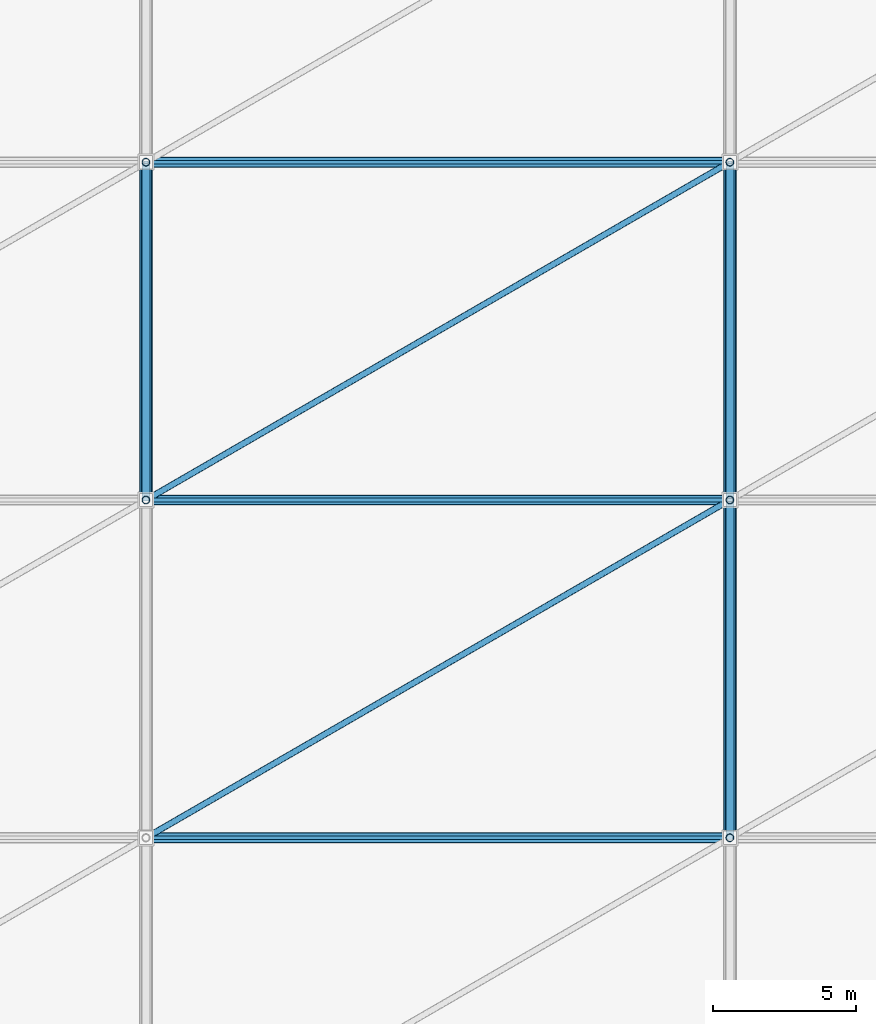
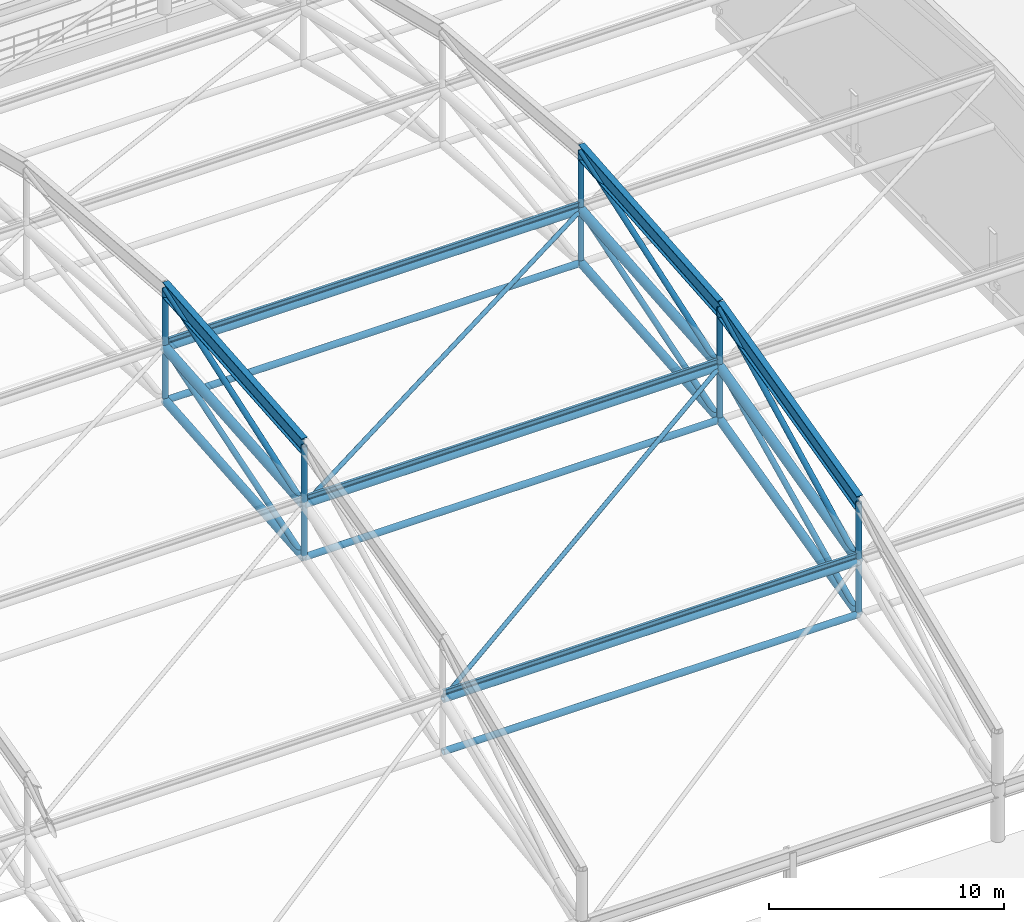
# One storey, part 24 of 135: 33 members, 3 beams.
"""IFC4 building model written with IfcOpenShell, lengths in metres."""

from ifc_helpers import new_model, si_unit, direction, frame, origin, origin_2d, place, context, subcontext, project, spatial, hollow_circle, i_section, extrude, material, material_profile, profile_set, type_object, element, save


model = new_model("IFC4")

# Units and contexts
model_context = context("Model", 3, precision=1e-05, world=origin(), true_north=direction((0.0, 1.0)))
body_context = subcontext(model_context, "Body", "Model", "MODEL_VIEW")
ifc_project = project(units=[si_unit("LENGTHUNIT", "METRE"), si_unit("AREAUNIT", "SQUARE_METRE"), si_unit("VOLUMEUNIT", "CUBIC_METRE"), si_unit("PLANEANGLEUNIT", "RADIAN"), si_unit("MASSUNIT", "GRAM", prefix="KILO")], contexts=[model_context])

# Site, building, storey
site_placement = place(None, origin())
site = spatial("IfcSite", under=ifc_project, at=site_placement, CompositionType="ELEMENT")
building_placement = place(site_placement, origin())
building = spatial("IfcBuilding", under=site, at=building_placement, Name="Brelvane Convention Centre", CompositionType="ELEMENT")
storey_placement = place(building_placement, frame((0.0, 0.0, 15.0)))
storey = spatial("IfcBuildingStorey", under=building, at=storey_placement, Name="L03", CompositionType="ELEMENT", Elevation=15.0)

# Beams
ifc_material_1 = material(Name="Steel E450 (450 MPa)", Category="steel")
ifc_material_profile_1 = material_profile(ifc_material_1, i_section(OverallWidth=0.300048828125, OverallDepth=0.800048828125, WebThickness=0.015380859375, FlangeThickness=0.030029296875, FilletRadius=0.027099609375, at=origin_2d()), Name="NPB 800x300")
ifc_profile_set_1 = profile_set([ifc_material_profile_1], Name="Steel E450 (450 MPa)")
beam_type = type_object("IfcBeamType", Name="Steel Beam B-ST2 (NPB 800x300)", PredefinedType="BEAM", material=ifc_profile_set_1)
beam_1_placement = place(storey_placement, frame((102.0, 52.39990234375, 13.22216796875), z_axis=(0.0, 0.996584470208, 0.082579620615), x_axis=(-1.0, 0.0, 0.0)))
element("IfcBeam", 1, at=beam_1_placement, inside=storey, type_object=beam_type, Name="EXO_EXH Exoskeletal Arch Girder 6.3", PredefinedType="BEAM", context=body_context, shape_type="SweptSolid", body=[
    extrude(i_section(OverallWidth=0.300048828125, OverallDepth=0.800048828125, WebThickness=0.015380859375, FlangeThickness=0.030029296875, FilletRadius=0.027099609375, at=origin_2d()), origin(), (0.0, 0.0, 1.0), 11.840576171875),
])
beam_2_placement = place(storey_placement, frame((122.39990234375, 40.60009765625, 10.288818359375), z_axis=(0.0, 0.970462914592, 0.241250350054), x_axis=(-1.0, 0.0, 0.0)))
element("IfcBeam", 2, at=beam_2_placement, inside=storey, type_object=beam_type, Name="EXO_EXH Exoskeletal Arch Girder 7.2", PredefinedType="BEAM", context=body_context, shape_type="SweptSolid", body=[
    extrude(i_section(OverallWidth=0.300048828125, OverallDepth=0.800048828125, WebThickness=0.015380859375, FlangeThickness=0.030029296875, FilletRadius=0.027099609375, at=origin_2d()), origin(), (0.0, 0.0, 1.0), 12.158935546875),
])
beam_3_placement = place(storey_placement, frame((122.39990234375, 52.39990234375, 13.22216796875), z_axis=(0.0, 0.996584470208, 0.082579620615), x_axis=(-1.0, 0.0, 0.0)))
element("IfcBeam", 3, at=beam_3_placement, inside=storey, type_object=beam_type, Name="EXO_EXH Exoskeletal Arch Girder 7.3", PredefinedType="BEAM", context=body_context, shape_type="SweptSolid", body=[
    extrude(i_section(OverallWidth=0.300048828125, OverallDepth=0.800048828125, WebThickness=0.015380859375, FlangeThickness=0.030029296875, FilletRadius=0.027099609375, at=origin_2d()), origin(), (0.0, 0.0, 1.0), 11.840576171875),
])

# Members
ifc_material_2 = material(Name="Steel E350 (350 MPa)", Category="steel")
ifc_material_profile_2 = material_profile(ifc_material_2, hollow_circle(Radius=0.136474609375, WallThickness=0.012451171875, at=origin_2d()), Name="CHS 273.0x12.5")
ifc_profile_set_2 = profile_set([ifc_material_profile_2], Name="Steel E350 (350 MPa)")
member_type_1 = type_object("IfcMemberType", Name="Steel Brace SF-DG1 (CHS 273.0x12.5)", PredefinedType="BRACE", material=ifc_profile_set_2)
member_1_placement = place(storey_placement, frame((102.0, 52.39990234375, 7.422119140625), z_axis=(0.0, 0.953781085444, 0.30050231455), x_axis=(-1.0, 0.0, 0.0)))
element("IfcMember", 4, at=member_1_placement, inside=storey, type_object=member_type_1, Name="SF_EXH Space-Frame Web Diagonal D6.3", PredefinedType="BRACE", context=body_context, shape_type="SweptSolid", body=[
    extrude(hollow_circle(Radius=0.136474609375, WallThickness=0.012451171875, at=origin_2d()), origin(), (0.0, 0.0, 1.0), 12.371826171875),
])
member_2_placement = place(storey_placement, frame((122.39990234375, 40.60009765625, 4.489013671875), z_axis=(0.0, 0.901249063661, 0.433301425397), x_axis=(-1.0, 0.0, 0.0)))
element("IfcMember", 5, at=member_2_placement, inside=storey, type_object=member_type_1, Name="SF_EXH Space-Frame Web Diagonal D7.2", PredefinedType="BRACE", context=body_context, shape_type="SweptSolid", body=[
    extrude(hollow_circle(Radius=0.136474609375, WallThickness=0.012451171875, at=origin_2d()), origin(), (0.0, 0.0, 1.0), 13.0927734375),
])
member_3_placement = place(storey_placement, frame((122.39990234375, 52.39990234375, 7.422119140625), z_axis=(0.0, 0.953781085444, 0.30050231455), x_axis=(-1.0, 0.0, 0.0)))
element("IfcMember", 6, at=member_3_placement, inside=storey, type_object=member_type_1, Name="SF_EXH Space-Frame Web Diagonal D7.3", PredefinedType="BRACE", context=body_context, shape_type="SweptSolid", body=[
    extrude(hollow_circle(Radius=0.136474609375, WallThickness=0.012451171875, at=origin_2d()), origin(), (0.0, 0.0, 1.0), 12.371826171875),
])
member_4_placement = place(storey_placement, frame((102.0, 52.39990234375, 10.162109375), z_axis=(0.0, 0.946139843727, 0.323758237134), x_axis=(-1.0, 0.0, 0.0)))
element("IfcMember", 7, at=member_4_placement, inside=storey, type_object=member_type_1, Name="EXO_EXH Exoskeletal Arch Web 6.3", PredefinedType="BRACE", context=body_context, shape_type="SweptSolid", body=[
    extrude(hollow_circle(Radius=0.136474609375, WallThickness=0.012451171875, at=origin_2d()), origin(), (0.0, 0.0, 1.0), 12.4716796875),
])
member_5_placement = place(storey_placement, frame((122.39990234375, 40.60009765625, 7.22900390625), z_axis=(0.0, 0.891590690557, 0.45284218058), x_axis=(-1.0, 0.0, 0.0)))
element("IfcMember", 8, at=member_5_placement, inside=storey, type_object=member_type_1, Name="EXO_EXH Exoskeletal Arch Web 7.2", PredefinedType="BRACE", context=body_context, shape_type="SweptSolid", body=[
    extrude(hollow_circle(Radius=0.136474609375, WallThickness=0.012451171875, at=origin_2d()), origin(), (0.0, 0.0, 1.0), 13.234619140625),
])
member_6_placement = place(storey_placement, frame((122.39990234375, 52.39990234375, 10.162109375), z_axis=(0.0, 0.946139843727, 0.323758237134), x_axis=(-1.0, 0.0, 0.0)))
element("IfcMember", 9, at=member_6_placement, inside=storey, type_object=member_type_1, Name="EXO_EXH Exoskeletal Arch Web 7.3", PredefinedType="BRACE", context=body_context, shape_type="SweptSolid", body=[
    extrude(hollow_circle(Radius=0.136474609375, WallThickness=0.012451171875, at=origin_2d()), origin(), (0.0, 0.0, 1.0), 12.4716796875),
])
ifc_material_3 = material(Name="Steel E350 (350 MPa)", Category="steel")
ifc_material_profile_3 = material_profile(ifc_material_3, hollow_circle(Radius=0.109619140625, WallThickness=0.010009765625, at=origin_2d()), Name="CHS 219.1x10.0")
ifc_profile_set_3 = profile_set([ifc_material_profile_3], Name="Steel E350 (350 MPa)")
member_type_2 = type_object("IfcMemberType", Name="Steel Brace SF-DG2 (CHS 219.1x10.0)", PredefinedType="BRACE", material=ifc_profile_set_3)
member_7_placement = place(storey_placement, frame((102.0, 40.60009765625, 7.22900390625), z_axis=(0.858995025138, 0.496863825785, 0.123506620934), x_axis=(-0.500697290317, 0.865622448571, 0.0)))
element("IfcMember", 10, at=member_7_placement, inside=storey, type_object=member_type_2, Name="SF_EXH Roof Diaphragm Brace PB6.2", PredefinedType="BRACE", context=body_context, shape_type="SweptSolid", body=[
    extrude(hollow_circle(Radius=0.109619140625, WallThickness=0.010009765625, at=origin_2d()), origin(), (0.0, 0.0, 1.0), 23.74853515625),
])
member_8_placement = place(storey_placement, frame((102.0, 52.39990234375, 10.162109375), z_axis=(0.864873882245, 0.500274651745, 0.041454078585), x_axis=(-0.500705052683, 0.865617958581, 0.0)))
element("IfcMember", 11, at=member_8_placement, inside=storey, type_object=member_type_2, Name="SF_EXH Roof Diaphragm Brace PB6.3", PredefinedType="BRACE", context=body_context, shape_type="SweptSolid", body=[
    extrude(hollow_circle(Radius=0.109619140625, WallThickness=0.010009765625, at=origin_2d()), origin(), (0.0, 0.0, 1.0), 23.587158203125),
])
ifc_material_4 = material(Name="Steel E450 (450 MPa)", Category="steel")
ifc_material_profile_4 = material_profile(ifc_material_4, hollow_circle(Radius=0.203125, WallThickness=0.01611328125, at=origin_2d()), Name="CHS 406.4x16.0")
ifc_profile_set_4 = profile_set([ifc_material_profile_4], Name="Steel E450 (450 MPa)")
member_type_3 = type_object("IfcMemberType", Name="Steel Chord SF-BC1 (CHS 406.4x16.0)", PredefinedType="CHORD", material=ifc_profile_set_4)
member_9_placement = place(storey_placement, frame((102.0, 52.39990234375, 7.422119140625), z_axis=(0.0, 0.996584470208, 0.082579620615), x_axis=(-1.0, 0.0, 0.0)))
element("IfcMember", 12, at=member_9_placement, inside=storey, type_object=member_type_3, Name="SF_EXH Space-Frame Bottom Chord B6.3", PredefinedType="CHORD", context=body_context, shape_type="SweptSolid", body=[
    extrude(hollow_circle(Radius=0.203125, WallThickness=0.01611328125, at=origin_2d()), origin(), (0.0, 0.0, 1.0), 11.840576171875),
])
member_10_placement = place(storey_placement, frame((122.39990234375, 40.60009765625, 4.489013671875), z_axis=(0.0, 0.97046761544, 0.241231439458), x_axis=(-1.0, 0.0, 0.0)))
element("IfcMember", 13, at=member_10_placement, inside=storey, type_object=member_type_3, Name="SF_EXH Space-Frame Bottom Chord B7.2", PredefinedType="CHORD", context=body_context, shape_type="SweptSolid", body=[
    extrude(hollow_circle(Radius=0.203125, WallThickness=0.01611328125, at=origin_2d()), origin(), (0.0, 0.0, 1.0), 12.158935546875),
])
member_11_placement = place(storey_placement, frame((122.39990234375, 52.39990234375, 7.422119140625), z_axis=(0.0, 0.996584470208, 0.082579620615), x_axis=(-1.0, 0.0, 0.0)))
element("IfcMember", 14, at=member_11_placement, inside=storey, type_object=member_type_3, Name="SF_EXH Space-Frame Bottom Chord B7.3", PredefinedType="CHORD", context=body_context, shape_type="SweptSolid", body=[
    extrude(hollow_circle(Radius=0.203125, WallThickness=0.01611328125, at=origin_2d()), origin(), (0.0, 0.0, 1.0), 11.840576171875),
])
ifc_material_5 = material(Name="Steel E350 (350 MPa)", Category="steel")
ifc_material_profile_5 = material_profile(ifc_material_5, hollow_circle(Radius=0.161865234375, WallThickness=0.012451171875, at=origin_2d()), Name="CHS 323.9x12.5")
ifc_profile_set_5 = profile_set([ifc_material_profile_5], Name="Steel E350 (350 MPa)")
member_type_4 = type_object("IfcMemberType", Name="Steel Chord SF-BC2 (CHS 323.9x12.5)", PredefinedType="CHORD", material=ifc_profile_set_5)
for number, where, z_axis, x_axis, name in (
    (15, (102.0, 40.60009765625, 4.489013671875), (1.0, 0.0, 0.0), (0.0, 1.0, 0.0), "SF_EXH Longitudinal Bottom Chord LB6.2"),
    (16, (102.0, 52.39990234375, 7.422119140625), (1.0, 0.0, 0.0), (0.0, 1.0, 0.0), "SF_EXH Longitudinal Bottom Chord LB6.3"),
    (17, (102.0, 64.199951171875, 8.39990234375), (1.0, 0.0, 0.0), (0.0, 1.0, 0.0), "SF_EXH Longitudinal Bottom Chord LB6.4"),
):
    element("IfcMember", number, at=place(storey_placement, frame(where, z_axis=z_axis, x_axis=x_axis)), inside=storey, type_object=member_type_4, Name=name, PredefinedType="CHORD", context=body_context, shape_type="SweptSolid", body=[
        extrude(hollow_circle(Radius=0.161865234375, WallThickness=0.012451171875, at=origin_2d()), origin(), (0.0, 0.0, 1.0), 20.39990234375),
    ])
ifc_material_6 = material(Name="Steel E450 (450 MPa)", Category="steel")
ifc_material_profile_6 = material_profile(ifc_material_6, hollow_circle(Radius=0.228515625, WallThickness=0.02001953125, at=origin_2d()), Name="CHS 457.0x20.0")
ifc_profile_set_6 = profile_set([ifc_material_profile_6], Name="Steel E450 (450 MPa)")
member_type_5 = type_object("IfcMemberType", Name="Steel Chord SF-TC1 (CHS 457.0x20.0)", PredefinedType="CHORD", material=ifc_profile_set_6)
member_12_placement = place(storey_placement, frame((102.0, 52.39990234375, 10.162109375), z_axis=(0.0, 0.996584470208, 0.082579620615), x_axis=(-1.0, 0.0, 0.0)))
element("IfcMember", 18, at=member_12_placement, inside=storey, type_object=member_type_5, Name="SF_EXH Space-Frame Top Chord T6.3", PredefinedType="CHORD", context=body_context, shape_type="SweptSolid", body=[
    extrude(hollow_circle(Radius=0.228515625, WallThickness=0.02001953125, at=origin_2d()), origin(), (0.0, 0.0, 1.0), 11.840576171875),
])
member_13_placement = place(storey_placement, frame((122.39990234375, 40.60009765625, 7.22900390625), z_axis=(0.0, 0.97046761544, 0.241231439458), x_axis=(-1.0, 0.0, 0.0)))
element("IfcMember", 19, at=member_13_placement, inside=storey, type_object=member_type_5, Name="SF_EXH Space-Frame Top Chord T7.2", PredefinedType="CHORD", context=body_context, shape_type="SweptSolid", body=[
    extrude(hollow_circle(Radius=0.228515625, WallThickness=0.02001953125, at=origin_2d()), origin(), (0.0, 0.0, 1.0), 12.158935546875),
])
member_14_placement = place(storey_placement, frame((122.39990234375, 52.39990234375, 10.162109375), z_axis=(0.0, 0.996584470208, 0.082579620615), x_axis=(-1.0, 0.0, 0.0)))
element("IfcMember", 20, at=member_14_placement, inside=storey, type_object=member_type_5, Name="SF_EXH Space-Frame Top Chord T7.3", PredefinedType="CHORD", context=body_context, shape_type="SweptSolid", body=[
    extrude(hollow_circle(Radius=0.228515625, WallThickness=0.02001953125, at=origin_2d()), origin(), (0.0, 0.0, 1.0), 11.840576171875),
])
ifc_material_7 = material(Name="Steel E450 (450 MPa)", Category="steel")
ifc_material_profile_7 = material_profile(ifc_material_7, hollow_circle(Radius=0.177734375, WallThickness=0.01611328125, at=origin_2d()), Name="CHS 355.6x16.0")
ifc_profile_set_7 = profile_set([ifc_material_profile_7], Name="Steel E450 (450 MPa)")
member_type_6 = type_object("IfcMemberType", Name="Steel Chord SF-TC2 (CHS 355.6x16.0)", PredefinedType="CHORD", material=ifc_profile_set_7)
for number, where, z_axis, x_axis, name in (
    (21, (102.0, 40.60009765625, 7.22900390625), (1.0, 0.0, 0.0), (0.0, 1.0, 0.0), "SF_EXH Longitudinal Top Chord LT6.2"),
    (22, (102.0, 52.39990234375, 10.162109375), (1.0, 0.0, 0.0), (0.0, 1.0, 0.0), "SF_EXH Longitudinal Top Chord LT6.3"),
    (23, (102.0, 64.199951171875, 11.139892578125), (1.0, 0.0, 0.0), (0.0, 1.0, 0.0), "SF_EXH Longitudinal Top Chord LT6.4"),
):
    element("IfcMember", number, at=place(storey_placement, frame(where, z_axis=z_axis, x_axis=x_axis)), inside=storey, type_object=member_type_6, Name=name, PredefinedType="CHORD", context=body_context, shape_type="SweptSolid", body=[
        extrude(hollow_circle(Radius=0.177734375, WallThickness=0.01611328125, at=origin_2d()), origin(), (0.0, 0.0, 1.0), 20.39990234375),
    ])
ifc_material_8 = material(Name="Steel E350 (350 MPa)", Category="steel")
ifc_material_profile_8 = material_profile(ifc_material_8, i_section(OverallWidth=0.125, OverallDepth=0.25, WebThickness=0.0068359375, FlangeThickness=0.012451171875, FilletRadius=0.012939453125, at=origin_2d()), Name="ISMB 250")
ifc_profile_set_8 = profile_set([ifc_material_profile_8], Name="Steel E350 (350 MPa)")
member_type_7 = type_object("IfcMemberType", Name="Steel Purlin PR-ST1 (ISMB 250)", PredefinedType="PURLIN", material=ifc_profile_set_8)
for number, where, z_axis, x_axis, name in (
    (24, (102.0, 40.60009765625, 7.56396484375), (1.0, 0.0, 0.0), (0.0, 1.0, 0.0), "SF_EXH Roof Purlin P6.2"),
    (25, (102.0, 52.39990234375, 10.497314453125), (1.0, 0.0, 0.0), (0.0, 1.0, 0.0), "SF_EXH Roof Purlin P6.3"),
    (26, (102.0, 64.199951171875, 11.47509765625), (1.0, 0.0, 0.0), (0.0, 1.0, 0.0), "SF_EXH Roof Purlin P6.4"),
):
    element("IfcMember", number, at=place(storey_placement, frame(where, z_axis=z_axis, x_axis=x_axis)), inside=storey, type_object=member_type_7, Name=name, PredefinedType="PURLIN", context=body_context, shape_type="SweptSolid", body=[
        extrude(i_section(OverallWidth=0.125, OverallDepth=0.25, WebThickness=0.0068359375, FlangeThickness=0.012451171875, FilletRadius=0.012939453125, at=origin_2d()), origin(), (0.0, 0.0, 1.0), 20.39990234375),
    ])
ifc_material_9 = material(Name="Steel E350 (350 MPa)", Category="steel")
ifc_material_profile_9 = material_profile(ifc_material_9, hollow_circle(Radius=0.136474609375, WallThickness=0.012451171875, at=origin_2d()), Name="CHS 273.0x12.5")
ifc_profile_set_9 = profile_set([ifc_material_profile_9], Name="Steel E350 (350 MPa)")
member_type_8 = type_object("IfcMemberType", Name="Steel Strut SF-VT1 (CHS 273.0x12.5)", PredefinedType="STRUT", material=ifc_profile_set_9)
for number, where, z_axis, x_axis, name in (
    (27, (102.0, 52.39990234375, 7.422119140625), (0.0, 0.0, 1.0), (1.0, 0.0, 0.0), "SF_EXH Space-Frame Post V6.2"),
    (28, (102.0, 64.199951171875, 8.39990234375), (0.0, 0.0, 1.0), (1.0, 0.0, 0.0), "SF_EXH Space-Frame Post V6.3"),
    (29, (122.39990234375, 40.60009765625, 4.489013671875), (0.0, 0.0, 1.0), (1.0, 0.0, 0.0), "SF_EXH Space-Frame Post V7.1"),
    (30, (122.39990234375, 52.39990234375, 7.422119140625), (0.0, 0.0, 1.0), (1.0, 0.0, 0.0), "SF_EXH Space-Frame Post V7.2"),
    (31, (122.39990234375, 64.199951171875, 8.39990234375), (0.0, 0.0, 1.0), (1.0, 0.0, 0.0), "SF_EXH Space-Frame Post V7.3"),
):
    element("IfcMember", number, at=place(storey_placement, frame(where, z_axis=z_axis, x_axis=x_axis)), inside=storey, type_object=member_type_8, Name=name, PredefinedType="STRUT", context=body_context, shape_type="SweptSolid", body=[
        extrude(hollow_circle(Radius=0.136474609375, WallThickness=0.012451171875, at=origin_2d()), origin(), (0.0, 0.0, 1.0), 2.739990234375),
    ])
for number, where, z_axis, x_axis, name in (
    (32, (102.0, 52.39990234375, 10.162109375), (0.0, 0.0, 1.0), (1.0, 0.0, 0.0), "EXO_EXH Roof Suspension Hanger 6.2"),
    (33, (102.0, 64.199951171875, 11.139892578125), (0.0, 0.0, 1.0), (1.0, 0.0, 0.0), "EXO_EXH Roof Suspension Hanger 6.3"),
):
    element("IfcMember", number, at=place(storey_placement, frame(where, z_axis=z_axis, x_axis=x_axis)), inside=storey, type_object=member_type_8, Name=name, PredefinedType="STRUT", context=body_context, shape_type="SweptSolid", body=[
        extrude(hollow_circle(Radius=0.136474609375, WallThickness=0.012451171875, at=origin_2d()), origin(), (0.0, 0.0, 1.0), 3.06005859375),
    ])
member_15_placement = place(storey_placement, frame((122.39990234375, 40.60009765625, 7.22900390625), z_axis=(0.0, 0.0, 1.0), x_axis=(1.0, 0.0, 0.0)))
element("IfcMember", 34, at=member_15_placement, inside=storey, type_object=member_type_8, Name="EXO_EXH Roof Suspension Hanger 7.1", PredefinedType="STRUT", context=body_context, shape_type="SweptSolid", body=[
    extrude(hollow_circle(Radius=0.136474609375, WallThickness=0.012451171875, at=origin_2d()), origin(), (0.0, 0.0, 1.0), 3.059814453125),
])
for number, where, z_axis, x_axis, name in (
    (35, (122.39990234375, 52.39990234375, 10.162109375), (0.0, 0.0, 1.0), (1.0, 0.0, 0.0), "EXO_EXH Roof Suspension Hanger 7.2"),
    (36, (122.39990234375, 64.199951171875, 11.139892578125), (0.0, 0.0, 1.0), (1.0, 0.0, 0.0), "EXO_EXH Roof Suspension Hanger 7.3"),
):
    element("IfcMember", number, at=place(storey_placement, frame(where, z_axis=z_axis, x_axis=x_axis)), inside=storey, type_object=member_type_8, Name=name, PredefinedType="STRUT", context=body_context, shape_type="SweptSolid", body=[
        extrude(hollow_circle(Radius=0.136474609375, WallThickness=0.012451171875, at=origin_2d()), origin(), (0.0, 0.0, 1.0), 3.06005859375),
    ])

save(model, "model.ifc")
